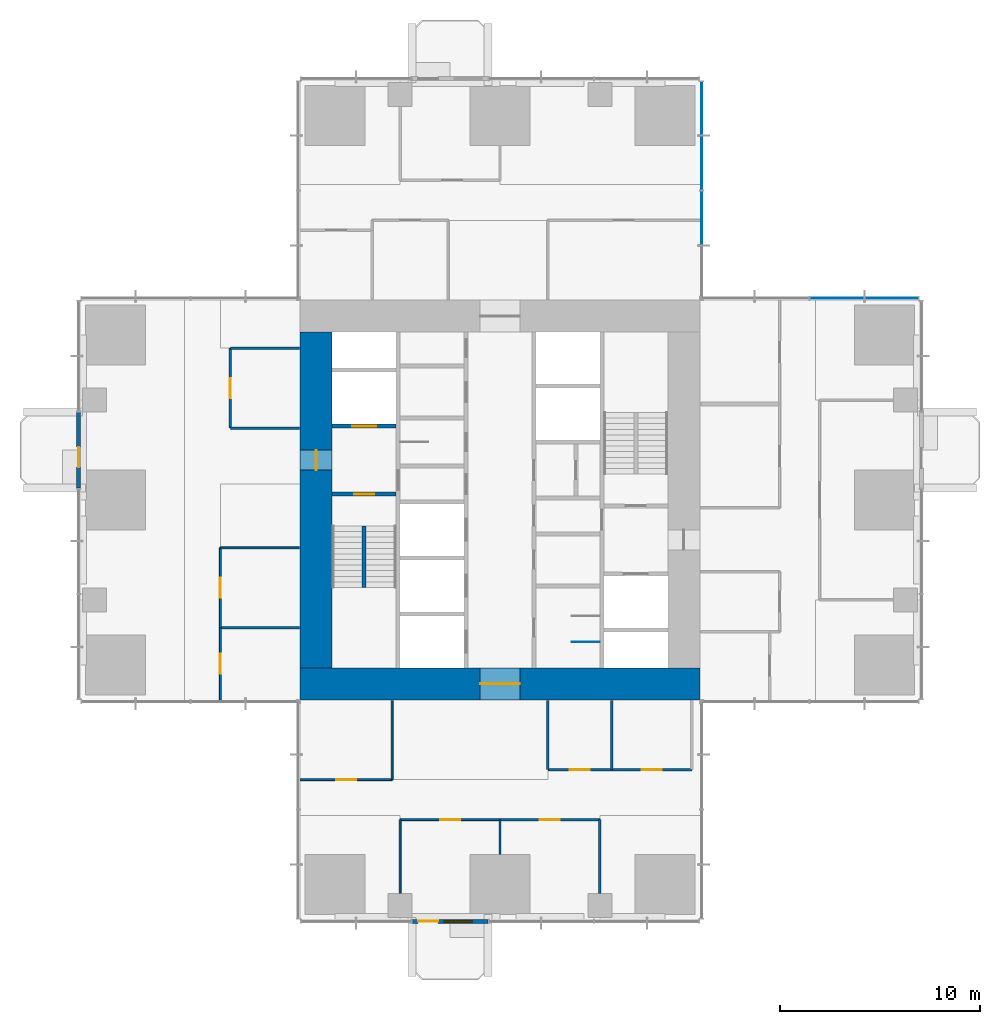
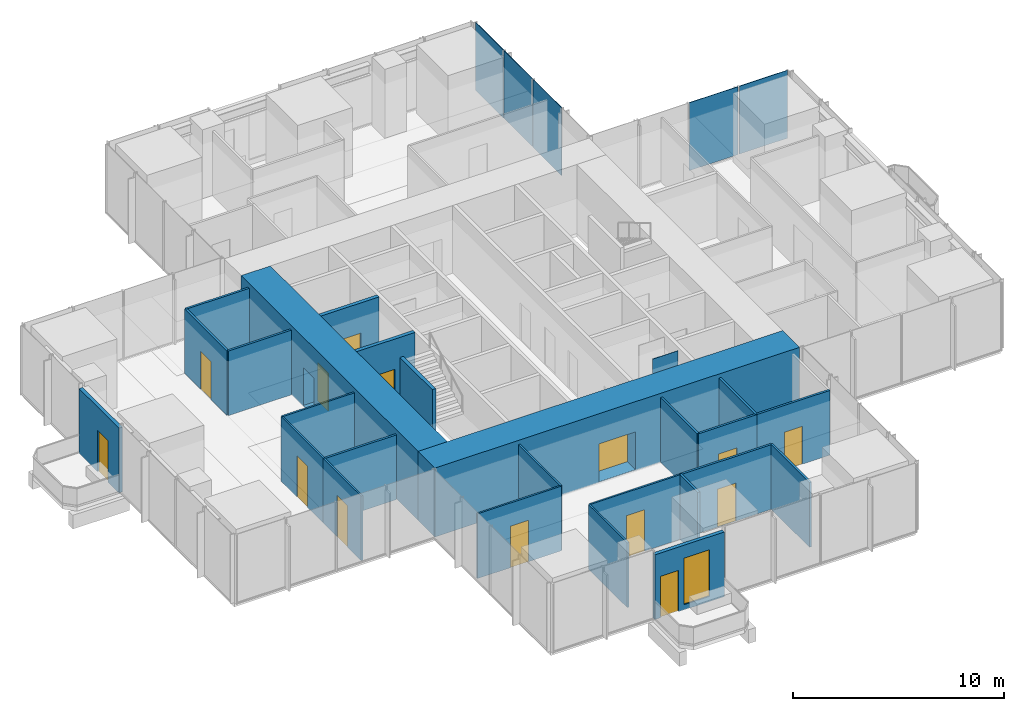
# One storey, part 8 of 13: 26 walls, 14 doors, 5 plates, 1 window, 15 openings, 2 elements without a shape of their own.
"""IFC4 building model written with IfcOpenShell, lengths in metres."""

import ifcopenshell
import ifcopenshell.guid

model = None  # the IFC model being written
_history = None  # IfcOwnerHistory: only IFC2X3 demands one
_inside = {}  # id of a spatial element -> (the spatial element, [elements in it])
_under = {}  # id of a project, library or spatial element -> (it, [spatial elements below it])
_declared = {}  # id of a project -> (the project, [libraries it declares])
_typed = {}  # id of a type object -> (the type object, [elements of that type])
_made_of = {}  # id of a material, layer set ... -> (it, [elements and type objects made of it])


def new_model(schema):
    """Start an empty IFC model of exactly this schema.

    Asked for "IFC4X3", IfcOpenShell would pick the latest addendum, in which some entities
    have other attributes; the version numbers below select the first issue.
    IFC2X3 requires an IfcOwnerHistory on every rooted entity: one is made here for all.
    """
    global model, _history
    if schema == "IFC4X3":
        model = ifcopenshell.file(schema_version=(4, 3, 0, 0))
    else:
        model = ifcopenshell.file(schema=schema)
    _inside.clear()
    _under.clear()
    _declared.clear()
    _typed.clear()
    _made_of.clear()
    _history = None
    if model.schema == "IFC2X3":
        org = make("IfcOrganization", Name="unknown")
        user = make(
            "IfcPersonAndOrganization",
            ThePerson=make("IfcPerson", FamilyName="unknown"),
            TheOrganization=org,
        )
        app = make(
            "IfcApplication",
            ApplicationDeveloper=org,
            Version="unknown",
            ApplicationFullName="unknown",
            ApplicationIdentifier="unknown",
        )
        _history = make(
            "IfcOwnerHistory",
            OwningUser=user,
            OwningApplication=app,
            ChangeAction="ADDED",
            CreationDate=0,
        )
    return model


def make(cls, **values):
    """One entity of the class cls with the attributes given. An attribute that is None is left unset."""
    return model.create_entity(
        cls, **{name: value for name, value in values.items() if value is not None}
    )


def rooted(cls, **values):
    """An entity with a GlobalId (a new one), such as an element, a storey or a relation."""
    return make(cls, GlobalId=ifcopenshell.guid.new(), OwnerHistory=_history, **values)


def si_unit(unit_type, name, prefix=None):
    """IfcSIUnit, for example si_unit("LENGTHUNIT", "METRE", prefix="MILLI")."""
    return make("IfcSIUnit", UnitType=unit_type, Prefix=prefix, Name=name)


def assignment(units):
    """IfcUnitAssignment: the units of a project."""
    return None if units is None else make("IfcUnitAssignment", Units=units)


def point(xyz):
    """IfcCartesianPoint."""
    return None if xyz is None else make("IfcCartesianPoint", Coordinates=xyz)


def direction(xyz):
    """IfcDirection."""
    return None if xyz is None else make("IfcDirection", DirectionRatios=xyz)


def frame(location, z_axis=None, x_axis=None):
    """IfcAxis2Placement3D, a coordinate frame: its origin and axes. An axis left out is left unset."""
    return make(
        "IfcAxis2Placement3D",
        Location=point(location),
        Axis=direction(z_axis),
        RefDirection=direction(x_axis),
    )


def frame_2d(location, x_axis=None):
    """IfcAxis2Placement2D, a coordinate frame in the plane: its origin and x axis."""
    return make(
        "IfcAxis2Placement2D", Location=point(location), RefDirection=direction(x_axis)
    )


def origin():
    """The frame at (0, 0, 0) with its axes left unset."""
    return frame((0.0, 0.0, 0.0))


def origin_2d():
    """The frame at (0, 0) in the plane with its x axis left unset."""
    return frame_2d((0.0, 0.0))


def place(relative_to, where):
    """IfcLocalPlacement: puts the frame where relative to a parent placement (None: the world)."""
    return make(
        "IfcLocalPlacement", PlacementRelTo=relative_to, RelativePlacement=where
    )


def context(
    kind, dimensions, precision=None, world=None, true_north=None, identifier=None
):
    """IfcGeometricRepresentationContext, for example the 3D "Model" context."""
    return make(
        "IfcGeometricRepresentationContext",
        ContextIdentifier=identifier,
        ContextType=kind,
        CoordinateSpaceDimension=dimensions,
        Precision=precision,
        WorldCoordinateSystem=world,
        TrueNorth=true_north,
    )


def subcontext(parent, identifier, kind, view, scale=None):
    """IfcGeometricRepresentationSubContext, for example "Body" below "Model"."""
    return make(
        "IfcGeometricRepresentationSubContext",
        ContextIdentifier=identifier,
        ContextType=kind,
        ParentContext=parent,
        TargetScale=scale,
        TargetView=view,
    )


def project(units=None, contexts=None):
    """IfcProject with its units and contexts."""
    return rooted(
        "IfcProject",
        Name="project",
        RepresentationContexts=contexts,
        UnitsInContext=assignment(units),
    )


def spatial(cls, under=None, at=None, **own):
    """A site, building, storey or space (cls), placed at a placement, below another one or the project."""
    s = rooted(cls, ObjectPlacement=at, **own)
    if under is not None:
        _under.setdefault(under.id(), (under, []))[1].append(s)
    return s


def profile(cls, at=None, kind="AREA", **sizes):
    """A parametric profile (cls). Its sizes go by their IFC names, for example OverallWidth=200.0."""
    return make(cls, ProfileType=kind, Position=at, **sizes)


def rectangle(**sizes):
    """IfcRectangleProfileDef."""
    return profile("IfcRectangleProfileDef", **sizes)


def extrude(swept, where, along, depth):
    """IfcExtrudedAreaSolid: the profile swept, set in the frame where, extruded along a direction by depth."""
    return make(
        "IfcExtrudedAreaSolid",
        SweptArea=swept,
        Position=where,
        ExtrudedDirection=direction(along),
        Depth=depth,
    )


def shape(context_of_items, identifier, shape_type, items):
    """IfcShapeRepresentation: the items that make up one representation, for example the "Body"."""
    return make(
        "IfcShapeRepresentation",
        ContextOfItems=context_of_items,
        RepresentationIdentifier=identifier,
        RepresentationType=shape_type,
        Items=items,
    )


def material(Name=None, Category=None):
    """IfcMaterial."""
    return make("IfcMaterial", Name=Name, Category=Category)


def layer(
    of_material, thickness, ventilated=None, Name=None, Category=None, Priority=None
):
    """IfcMaterialLayer: one layer of a wall or slab, of a material (None: an air gap)."""
    return make(
        "IfcMaterialLayer",
        Material=of_material,
        LayerThickness=thickness,
        IsVentilated=ventilated,
        Name=Name,
        Category=Category,
        Priority=Priority,
    )


def layer_set(layers, Name=None):
    """IfcMaterialLayerSet."""
    return make("IfcMaterialLayerSet", MaterialLayers=layers, LayerSetName=Name)


def made_of(thing, what):
    """Note that an element or type object is made of a material, layer set ...; save() writes the relation."""
    if what is not None:
        _made_of.setdefault(what.id(), (what, []))[1].append(thing)
    return thing


def type_object(cls, material=None, **own):
    """A type object (cls), such as IfcWallType, which elements share."""
    return made_of(rooted(cls, **own), material)


def element(
    cls,
    number,
    at=None,
    inside=None,
    cuts=None,
    type_object=None,
    material=None,
    context=None,
    identifier="Body",
    shape_type=None,
    held_by="IfcProductDefinitionShape",
    body=None,
    shapes=None,
    **own,
):
    """One element of the class cls, such as IfcWall. Its Tag is "e" and its number.

    at: its placement. inside: the storey or other place that contains it. cuts: it is an
    opening in that element (IfcRelVoidsElement). A single representation is given by context,
    identifier, shape_type and body (its items); several are given by shapes. held_by: the class
    of the entity that holds the representations. save() writes the other relations.
    """
    e = rooted(cls, Tag="e%d" % number, ObjectPlacement=at, **own)
    if body is not None:
        shapes = [shape(context, identifier, shape_type, body)]
    if shapes is not None:
        e.Representation = make(held_by, Representations=shapes)
    if inside is not None:
        _inside.setdefault(inside.id(), (inside, []))[1].append(e)
    if cuts is not None:
        rooted(
            "IfcRelVoidsElement", RelatingBuildingElement=cuts, RelatedOpeningElement=e
        )
    if type_object is not None:
        _typed.setdefault(type_object.id(), (type_object, []))[1].append(e)
    return made_of(e, material)


def fill(opening, filler):
    """IfcRelFillsElement: the door or window that sits in an opening."""
    return rooted(
        "IfcRelFillsElement",
        RelatingOpeningElement=opening,
        RelatedBuildingElement=filler,
    )


def aggregate(whole, parts):
    """IfcRelAggregates: a whole, such as a stair, and the parts it consists of."""
    return rooted("IfcRelAggregates", RelatingObject=whole, RelatedObjects=parts)


def save(model, path):
    """Write the relations noted so far, then the file.

    IfcRelAggregates (storeys below a building ...), IfcRelContainedInSpatialStructure (elements
    in a storey), IfcRelDefinesByType, IfcRelAssociatesMaterial and IfcRelDeclares: one each for
    every whole, place, type object, material and project.
    """
    for whole, parts in _under.values():
        aggregate(whole, parts)
    for where, things in _inside.values():
        rooted(
            "IfcRelContainedInSpatialStructure",
            RelatedElements=things,
            RelatingStructure=where,
        )
    for kind, things in _typed.values():
        rooted("IfcRelDefinesByType", RelatedObjects=things, RelatingType=kind)
    for what, things in _made_of.values():
        rooted("IfcRelAssociatesMaterial", RelatedObjects=things, RelatingMaterial=what)
    for by, libraries in _declared.values():
        rooted("IfcRelDeclares", RelatingContext=by, RelatedDefinitions=libraries)
    model.write(path)


model = new_model("IFC4")

# Units and contexts
model_context = context("Model", 3, precision=1e-05, world=origin(), true_north=direction((0.0, 1.0)))
body_context = subcontext(model_context, "Body", "Model", "MODEL_VIEW")
ifc_project = project(units=[si_unit("LENGTHUNIT", "METRE"), si_unit("AREAUNIT", "SQUARE_METRE"), si_unit("VOLUMEUNIT", "CUBIC_METRE"), si_unit("PLANEANGLEUNIT", "RADIAN"), si_unit("MASSUNIT", "GRAM", prefix="KILO")], contexts=[model_context])

# Site, building, storey
site_placement = place(None, origin())
site = spatial("IfcSite", under=ifc_project, at=site_placement, CompositionType="ELEMENT")
building_placement = place(site_placement, origin())
building = spatial("IfcBuilding", under=site, at=building_placement, Name="Svetlomir Tower", CompositionType="ELEMENT")
storey_placement = place(building_placement, frame((0.0, 0.0, 116.5)))
storey = spatial("IfcBuildingStorey", under=building, at=storey_placement, Name="L27", CompositionType="ELEMENT", Elevation=116.5)

# Curtain wall, plates
ifc_material_1 = material(Name="Bronze anodised aluminium curtain wall", Category="aluminium")
curtain_wall_type = type_object("IfcCurtainWallType", Name="CURTAIN WALL CW1 TOWER OFFICE", PredefinedType="NOTDEFINED", material=ifc_material_1)
curtain_wall_1_placement = place(storey_placement, origin())
curtain_wall_1 = element("IfcCurtainWall", 1, at=curtain_wall_1_placement, inside=storey, type_object=curtain_wall_type, Name="Curtain wall CW1 L27", PredefinedType="NOTDEFINED")
ifc_material_2 = material(Name="Tinted double glazed unit", Category="glass")
ifc_layer_1 = layer(ifc_material_2, 0.031982421875)
ifc_layer_set_1 = layer_set([ifc_layer_1], Name="Tinted double glazed unit")
plate_type = type_object("IfcPlateType", Name="CW1 GLAZED PANEL 32", PredefinedType="CURTAIN_PANEL", material=ifc_layer_set_1)
plate_1_placement = place(storey_placement, frame((40.608642578125, 31.10009765625, 0.06494140625), z_axis=(0.0, 0.0, 1.0), x_axis=(-1.0, 0.0, 0.0)))
plate_1 = element("IfcPlate", 2, at=plate_1_placement, type_object=plate_type, Name="CW1 panel 1.1", PredefinedType="CURTAIN_PANEL", context=body_context, shape_type="SweptSolid", body=[
    extrude(rectangle(XDim=2.652587890625, YDim=0.031982421875, at=origin_2d()), origin(), (0.0, 0.0, 1.0), 3.93505859375),
])
plate_2_placement = place(storey_placement, frame((37.875, 31.10009765625, 0.06494140625), z_axis=(0.0, 0.0, 1.0), x_axis=(-1.0, 0.0, 0.0)))
plate_2 = element("IfcPlate", 3, at=plate_2_placement, type_object=plate_type, Name="CW1 panel 2.1", PredefinedType="CURTAIN_PANEL", context=body_context, shape_type="SweptSolid", body=[
    extrude(rectangle(XDim=2.68505859375, YDim=0.031982421875, at=origin_2d()), origin(), (0.0, 0.0, 1.0), 3.93505859375),
])
aggregate(curtain_wall_1, [plate_1, plate_2])

curtain_wall_2_placement = place(storey_placement, origin())
curtain_wall_2 = element("IfcCurtainWall", 4, at=curtain_wall_2_placement, inside=storey, type_object=curtain_wall_type, Name="Curtain wall CW1 L27", PredefinedType="NOTDEFINED")
plate_3_placement = place(storey_placement, frame((31.10009765625, 35.125, 0.06494140625), z_axis=(0.0, 0.0, 1.0), x_axis=(0.0, 1.0, 0.0)))
plate_3 = element("IfcPlate", 5, at=plate_3_placement, type_object=plate_type, Name="CW1 panel 2.1", PredefinedType="CURTAIN_PANEL", context=body_context, shape_type="SweptSolid", body=[
    extrude(rectangle(XDim=2.68505859375, YDim=0.031982421875, at=origin_2d()), origin(), (0.0, 0.0, 1.0), 3.93505859375),
])
plate_4_placement = place(storey_placement, frame((31.10009765625, 37.875, 0.06494140625), z_axis=(0.0, 0.0, 1.0), x_axis=(0.0, 1.0, 0.0)))
plate_4 = element("IfcPlate", 6, at=plate_4_placement, type_object=plate_type, Name="CW1 panel 3.1", PredefinedType="CURTAIN_PANEL", context=body_context, shape_type="SweptSolid", body=[
    extrude(rectangle(XDim=2.68505859375, YDim=0.031982421875, at=origin_2d()), origin(), (0.0, 0.0, 1.0), 3.93505859375),
])
plate_5_placement = place(storey_placement, frame((31.10009765625, 40.608642578125, 0.06494140625), z_axis=(0.0, 0.0, 1.0), x_axis=(0.0, 1.0, 0.0)))
plate_5 = element("IfcPlate", 7, at=plate_5_placement, type_object=plate_type, Name="CW1 panel 4.1", PredefinedType="CURTAIN_PANEL", context=body_context, shape_type="SweptSolid", body=[
    extrude(rectangle(XDim=2.652587890625, YDim=0.031982421875, at=origin_2d()), origin(), (0.0, 0.0, 1.0), 3.93505859375),
])
aggregate(curtain_wall_2, [plate_3, plate_4, plate_5])

# Wall, openings, door, window
ifc_material_3 = material(Name="Bronze anodised aluminium glazed screen", Category="aluminium")
ifc_layer_2 = layer(ifc_material_3, 0.199951171875)
ifc_layer_set_2 = layer_set([ifc_layer_2], Name="Bronze anodised aluminium glazed screen")
wall_type_1 = type_object("IfcWallType", Name="BALCONY SCREEN WALL 200", PredefinedType="USERDEFINED", material=ifc_layer_set_2)
wall_1_placement = place(storey_placement, frame((16.60009765625, -0.10009765625, 0.0), z_axis=(0.0, 0.0, 1.0), x_axis=(1.0, 0.0, 0.0)))
wall_1 = element("IfcWall", 8, at=wall_1_placement, inside=storey, type_object=wall_type_1, Name="Balcony screen S", ObjectType="GLAZED SCREEN", PredefinedType="USERDEFINED", context=body_context, shape_type="SweptSolid", body=[
    extrude(rectangle(XDim=3.7998046875, YDim=0.199951171875, at=frame_2d((1.89990234375, 0.0))), origin(), (0.0, 0.0, 1.0), 3.75),
])
opening_1_placement = place(wall_1_placement, frame((0.300048828125, 0.0, 0.0)))
opening_1 = element("IfcOpeningElement", 9, at=opening_1_placement, cuts=wall_1, Name="Opening BD", PredefinedType="OPENING", context=body_context, shape_type="SweptSolid", body=[
    extrude(rectangle(XDim=1.0, YDim=2.39990234375, at=frame_2d((0.5, 1.199951171875))), frame((0.0, 0.10986328125, 0.0), z_axis=(0.0, -1.0, 0.0), x_axis=(1.0, 0.0, 0.0)), (0.0, 0.0, 1.0), 0.219970703125),
])
opening_2_placement = place(wall_1_placement, frame((1.60009765625, 0.0, 0.300048828125)))
opening_2 = element("IfcOpeningElement", 10, at=opening_2_placement, cuts=wall_1, Name="Opening WS2", PredefinedType="OPENING", context=body_context, shape_type="SweptSolid", body=[
    extrude(rectangle(XDim=1.39990234375, YDim=2.699951171875, at=frame_2d((0.699951171875, 1.35009765625))), frame((0.0, 0.10986328125, 0.0), z_axis=(0.0, -1.0, 0.0), x_axis=(1.0, 0.0, 0.0)), (0.0, 0.0, 1.0), 0.219970703125),
])
ifc_material_4 = material(Name="Bronze anodised aluminium glazed door", Category="aluminium")
door_type_1 = type_object("IfcDoorType", Name="BALCONY DOOR BD 1000x2400", OperationType="SINGLE_SWING_LEFT", PredefinedType="DOOR", material=ifc_material_4)
door_1_placement = place(opening_1_placement, origin())
door_1 = element("IfcDoor", 11, at=door_1_placement, inside=storey, type_object=door_type_1, Name="Balcony screen S door", OperationType="SINGLE_SWING_LEFT", OverallHeight=2.39990234375, OverallWidth=1.0, PredefinedType="DOOR", context=body_context, shape_type="SweptSolid", body=[
    extrude(rectangle(XDim=1.0, YDim=2.39990234375, at=frame_2d((0.5, 1.199951171875))), frame((0.0, 0.02490234375, 0.0), z_axis=(0.0, -1.0, 0.0), x_axis=(1.0, 0.0, 0.0)), (0.0, 0.0, 1.0), 0.050048828125),
])
fill(opening_1, door_1)
ifc_material_5 = material(Name="Bronze anodised aluminium window", Category="aluminium")
window_type = type_object("IfcWindowType", Name="SCREEN WINDOW WS2 1400x2700", PartitioningType="SINGLE_PANEL", PredefinedType="WINDOW", material=ifc_material_5)
window_placement = place(opening_2_placement, origin())
window = element("IfcWindow", 12, at=window_placement, inside=storey, type_object=window_type, Name="Balcony screen S window 1", OverallHeight=2.699951171875, OverallWidth=1.39990234375, PartitioningType="SINGLE_PANEL", PredefinedType="WINDOW", context=body_context, shape_type="SweptSolid", body=[
    extrude(rectangle(XDim=1.39990234375, YDim=2.699951171875, at=frame_2d((0.699951171875, 1.35009765625))), frame((0.0, 0.030029296875, 0.0), z_axis=(0.0, -1.0, 0.0), x_axis=(1.0, 0.0, 0.0)), (0.0, 0.0, 1.0), 0.06005859375),
])
fill(opening_2, window)

# Wall, opening, door
wall_2_placement = place(storey_placement, frame((-0.10009765625, 25.39990234375, 0.0), z_axis=(0.0, 0.0, 1.0), x_axis=(0.0, -1.0, 0.0)))
wall_2 = element("IfcWall", 13, at=wall_2_placement, inside=storey, type_object=wall_type_1, Name="Balcony screen W", ObjectType="GLAZED SCREEN", PredefinedType="USERDEFINED", context=body_context, shape_type="SweptSolid", body=[
    extrude(rectangle(XDim=3.7998046875, YDim=0.199951171875, at=frame_2d((1.89990234375, 0.0))), origin(), (0.0, 0.0, 1.0), 3.75),
])
opening_3_placement = place(wall_2_placement, frame((1.75, 0.0, 0.0)))
opening_3 = element("IfcOpeningElement", 14, at=opening_3_placement, cuts=wall_2, Name="Opening BD", PredefinedType="OPENING", context=body_context, shape_type="SweptSolid", body=[
    extrude(rectangle(XDim=1.0, YDim=2.39990234375, at=frame_2d((0.5, 1.199951171875))), frame((0.0, 0.10986328125, 0.0), z_axis=(0.0, -1.0, 0.0), x_axis=(1.0, 0.0, 0.0)), (0.0, 0.0, 1.0), 0.219970703125),
])
door_2_placement = place(opening_3_placement, origin())
door_2 = element("IfcDoor", 15, at=door_2_placement, inside=storey, type_object=door_type_1, Name="Balcony screen W door", OperationType="SINGLE_SWING_LEFT", OverallHeight=2.39990234375, OverallWidth=1.0, PredefinedType="DOOR", context=body_context, shape_type="SweptSolid", body=[
    extrude(rectangle(XDim=1.0, YDim=2.39990234375, at=frame_2d((0.5, 1.199951171875))), frame((0.0, 0.02490234375, 0.0), z_axis=(0.0, -1.0, 0.0), x_axis=(1.0, 0.0, 0.0)), (0.0, 0.0, 1.0), 0.050048828125),
])
fill(opening_3, door_2)

ifc_material_6 = material(Name="Concrete C60/75", Category="concrete")
ifc_layer_3 = layer(ifc_material_6, 0.199951171875)
ifc_layer_set_3 = layer_set([ifc_layer_3], Name="Concrete C60/75")
wall_type_2 = type_object("IfcWallType", Name="CORE INNER WALL 200", PredefinedType="SHEAR", material=ifc_layer_set_3)
wall_3_placement = place(storey_placement, frame((12.60009765625, 21.300048828125, -0.050048828125), z_axis=(0.0, 0.0, 1.0), x_axis=(1.0, 0.0, 0.0)))
wall_3 = element("IfcWall", 16, at=wall_3_placement, inside=storey, type_object=wall_type_2, Name="Core inner wall 12.6-15.8/21.3 L27", PredefinedType="SHEAR", context=body_context, shape_type="SweptSolid", body=[
    extrude(rectangle(XDim=3.199951171875, YDim=0.199951171875, at=frame_2d((1.60009765625, 0.0))), origin(), (0.0, 0.0, 1.0), 4.0),
])
opening_4_placement = place(wall_3_placement, frame((1.10009765625, 0.0, 0.050048828125)))
opening_4 = element("IfcOpeningElement", 17, at=opening_4_placement, cuts=wall_3, Name="Opening DF", PredefinedType="OPENING", context=body_context, shape_type="SweptSolid", body=[
    extrude(rectangle(XDim=1.0, YDim=2.199951171875, at=frame_2d((0.5, 1.10009765625))), frame((0.0, 0.10986328125, 0.0), z_axis=(0.0, -1.0, 0.0), x_axis=(1.0, 0.0, 0.0)), (0.0, 0.0, 1.0), 0.219970703125),
])
ifc_material_7 = material(Name="Steel fire door", Category="steel")
door_type_2 = type_object("IfcDoorType", Name="DOOR DF 1000x2200", OperationType="SINGLE_SWING_LEFT", PredefinedType="DOOR", material=ifc_material_7)
door_3_placement = place(opening_4_placement, origin())
door_3 = element("IfcDoor", 18, at=door_3_placement, inside=storey, type_object=door_type_2, Name="Stair S1 door L27", OperationType="SINGLE_SWING_LEFT", OverallHeight=2.199951171875, OverallWidth=1.0, PredefinedType="DOOR", context=body_context, shape_type="SweptSolid", body=[
    extrude(rectangle(XDim=1.0, YDim=2.199951171875, at=frame_2d((0.5, 1.10009765625))), frame((0.0, 0.02490234375, 0.0), z_axis=(0.0, -1.0, 0.0), x_axis=(1.0, 0.0, 0.0)), (0.0, 0.0, 1.0), 0.050048828125),
])
fill(opening_4, door_3)

wall_4_placement = place(storey_placement, frame((12.60009765625, 24.699951171875, -0.050048828125), z_axis=(0.0, 0.0, 1.0), x_axis=(1.0, 0.0, 0.0)))
wall_4 = element("IfcWall", 19, at=wall_4_placement, inside=storey, type_object=wall_type_2, Name="Core inner wall 12.6-15.8/24.7 L27", PredefinedType="SHEAR", context=body_context, shape_type="SweptSolid", body=[
    extrude(rectangle(XDim=3.199951171875, YDim=0.199951171875, at=frame_2d((1.60009765625, 0.0))), origin(), (0.0, 0.0, 1.0), 4.0),
])
opening_5_placement = place(wall_4_placement, frame((1.0, 0.0, 0.050048828125)))
opening_5 = element("IfcOpeningElement", 20, at=opening_5_placement, cuts=wall_4, Name="Opening LD3", PredefinedType="OPENING", context=body_context, shape_type="SweptSolid", body=[
    extrude(rectangle(XDim=1.199951171875, YDim=2.199951171875, at=frame_2d((0.60009765625, 1.10009765625))), frame((0.0, 0.10986328125, 0.0), z_axis=(0.0, -1.0, 0.0), x_axis=(1.0, 0.0, 0.0)), (0.0, 0.0, 1.0), 0.219970703125),
])
ifc_material_8 = material(Name="Stainless steel fire-rated landing door", Category="steel")
door_type_3 = type_object("IfcDoorType", Name="FIREFIGHTING LIFT LANDING DOOR LD3 1200x2200", OperationType="DOUBLE_DOOR_SLIDING", PredefinedType="DOOR", material=ifc_material_8)
door_4_placement = place(opening_5_placement, origin())
door_4 = element("IfcDoor", 21, at=door_4_placement, inside=storey, type_object=door_type_3, Name="Landing door lift FL1 L27", OperationType="DOUBLE_DOOR_SLIDING", OverallHeight=2.199951171875, OverallWidth=1.199951171875, PredefinedType="DOOR", context=body_context, shape_type="SweptSolid", body=[
    extrude(rectangle(XDim=1.199951171875, YDim=2.199951171875, at=frame_2d((0.60009765625, 1.10009765625))), frame((0.0, 0.02490234375, 0.0), z_axis=(0.0, -1.0, 0.0), x_axis=(1.0, 0.0, 0.0)), (0.0, 0.0, 1.0), 0.050048828125),
])
fill(opening_5, door_4)

ifc_material_9 = material(Name="Concrete C60/75", Category="concrete")
ifc_layer_4 = layer(ifc_material_9, 1.60009765625)
ifc_layer_set_4 = layer_set([ifc_layer_4], Name="Concrete C60/75")
wall_type_3 = type_object("IfcWallType", Name="CORE WALL 1600", PredefinedType="SHEAR", material=ifc_layer_set_4)
wall_5_placement = place(storey_placement, frame((11.0, 11.800048828125, -0.050048828125), z_axis=(0.0, 0.0, 1.0), x_axis=(1.0, 0.0, 0.0)))
wall_5 = element("IfcWall", 22, at=wall_5_placement, inside=storey, type_object=wall_type_3, Name="Core wall south L27", PredefinedType="SHEAR", context=body_context, shape_type="SweptSolid", body=[
    extrude(rectangle(XDim=20.0, YDim=1.60009765625, at=frame_2d((10.0, 0.0))), origin(), (0.0, 0.0, 1.0), 4.0),
])
opening_6_placement = place(wall_5_placement, frame((9.0, 0.0, 0.050048828125)))
opening_6 = element("IfcOpeningElement", 23, at=opening_6_placement, cuts=wall_5, Name="Opening DL", PredefinedType="OPENING", context=body_context, shape_type="SweptSolid", body=[
    extrude(rectangle(XDim=2.0, YDim=2.199951171875, at=frame_2d((1.0, 1.10009765625))), frame((0.0, 0.81005859375, 0.0), z_axis=(0.0, -1.0, 0.0), x_axis=(1.0, 0.0, 0.0)), (0.0, 0.0, 1.0), 1.6201171875),
])
ifc_material_10 = material(Name="Steel fire door", Category="steel")
door_type_4 = type_object("IfcDoorType", Name="DOOR DL 2000x2200", OperationType="DOUBLE_DOOR_SINGLE_SWING", PredefinedType="DOOR", material=ifc_material_10)
door_5_placement = place(opening_6_placement, origin())
door_5 = element("IfcDoor", 24, at=door_5_placement, inside=storey, type_object=door_type_4, Name="Lift lobby south door L27", OperationType="DOUBLE_DOOR_SINGLE_SWING", OverallHeight=2.199951171875, OverallWidth=2.0, PredefinedType="DOOR", context=body_context, shape_type="SweptSolid", body=[
    extrude(rectangle(XDim=2.0, YDim=2.199951171875, at=frame_2d((1.0, 1.10009765625))), frame((0.0, 0.02490234375, 0.0), z_axis=(0.0, -1.0, 0.0), x_axis=(1.0, 0.0, 0.0)), (0.0, 0.0, 1.0), 0.050048828125),
])
fill(opening_6, door_5)

wall_6_placement = place(storey_placement, frame((11.800048828125, 12.60009765625, -0.050048828125), z_axis=(0.0, 0.0, 1.0), x_axis=(0.0, 1.0, 0.0)))
wall_6 = element("IfcWall", 25, at=wall_6_placement, inside=storey, type_object=wall_type_3, Name="Core wall west L27", PredefinedType="SHEAR", context=body_context, shape_type="SweptSolid", body=[
    extrude(rectangle(XDim=16.7998046875, YDim=1.60009765625, at=frame_2d((8.39990234375, 0.0))), origin(), (0.0, 0.0, 1.0), 4.0),
])
opening_7_placement = place(wall_6_placement, frame((9.89990234375, 0.0, 0.050048828125)))
opening_7 = element("IfcOpeningElement", 26, at=opening_7_placement, cuts=wall_6, Name="Opening DF", PredefinedType="OPENING", context=body_context, shape_type="SweptSolid", body=[
    extrude(rectangle(XDim=1.0, YDim=2.199951171875, at=frame_2d((0.5, 1.10009765625))), frame((0.0, 0.81005859375, 0.0), z_axis=(0.0, -1.0, 0.0), x_axis=(1.0, 0.0, 0.0)), (0.0, 0.0, 1.0), 1.6201171875),
])
door_6_placement = place(opening_7_placement, origin())
door_6 = element("IfcDoor", 27, at=door_6_placement, inside=storey, type_object=door_type_2, Name="Firefighting lobby west door L27", OperationType="SINGLE_SWING_LEFT", OverallHeight=2.199951171875, OverallWidth=1.0, PredefinedType="DOOR", context=body_context, shape_type="SweptSolid", body=[
    extrude(rectangle(XDim=1.0, YDim=2.199951171875, at=frame_2d((0.5, 1.10009765625))), frame((0.0, 0.02490234375, 0.0), z_axis=(0.0, -1.0, 0.0), x_axis=(1.0, 0.0, 0.0)), (0.0, 0.0, 1.0), 0.050048828125),
])
fill(opening_7, door_6)

ifc_material_11 = material(Name="Framed laminated glass partition", Category="glass")
ifc_layer_5 = layer(ifc_material_11, 0.10009765625)
ifc_layer_set_5 = layer_set([ifc_layer_5], Name="Framed laminated glass partition")
wall_type_4 = type_object("IfcWallType", Name="GLAZED PARTITION 100", PredefinedType="PARTITIONING", material=ifc_layer_set_5)
wall_7_placement = place(storey_placement, frame((7.0, 11.0, 0.0), z_axis=(0.0, 0.0, 1.0), x_axis=(0.0, 1.0, 0.0)))
wall_7 = element("IfcWall", 28, at=wall_7_placement, inside=storey, type_object=wall_type_4, Name="Glazed partition L27", PredefinedType="PARTITIONING", context=body_context, shape_type="SweptSolid", body=[
    extrude(rectangle(XDim=3.60009765625, YDim=0.10009765625, at=frame_2d((1.800048828125, 0.0))), origin(), (0.0, 0.0, 1.0), 3.75),
])
opening_8_placement = place(wall_7_placement, frame((1.300048828125, 0.0, 0.0)))
opening_8 = element("IfcOpeningElement", 29, at=opening_8_placement, cuts=wall_7, Name="Opening DG", PredefinedType="OPENING", context=body_context, shape_type="SweptSolid", body=[
    extrude(rectangle(XDim=1.0, YDim=2.39990234375, at=frame_2d((0.5, 1.199951171875))), frame((0.0, 0.06005859375, 0.0), z_axis=(0.0, -1.0, 0.0), x_axis=(1.0, 0.0, 0.0)), (0.0, 0.0, 1.0), 0.1201171875),
])
ifc_material_12 = material(Name="Framed laminated glass door", Category="glass")
door_type_5 = type_object("IfcDoorType", Name="GLAZED DOOR DG 1000x2400", OperationType="SINGLE_SWING_LEFT", PredefinedType="DOOR", material=ifc_material_12)
door_7_placement = place(opening_8_placement, origin())
door_7 = element("IfcDoor", 30, at=door_7_placement, inside=storey, type_object=door_type_5, Name="Deal room, 4 seats door L27", OperationType="SINGLE_SWING_RIGHT", OverallHeight=2.39990234375, OverallWidth=1.0, PredefinedType="DOOR", context=body_context, shape_type="SweptSolid", body=[
    extrude(rectangle(XDim=1.0, YDim=2.39990234375, at=frame_2d((0.5, 1.199951171875))), frame((0.0, 0.02490234375, 0.0), z_axis=(0.0, -1.0, 0.0), x_axis=(1.0, 0.0, 0.0)), (0.0, 0.0, 1.0), 0.050048828125),
])
fill(opening_8, door_7)

wall_8_placement = place(storey_placement, frame((7.0, 14.60009765625, 0.0), z_axis=(0.0, 0.0, 1.0), x_axis=(0.0, 1.0, 0.0)))
wall_8 = element("IfcWall", 31, at=wall_8_placement, inside=storey, type_object=wall_type_4, Name="Glazed partition L27", PredefinedType="PARTITIONING", context=body_context, shape_type="SweptSolid", body=[
    extrude(rectangle(XDim=4.0, YDim=0.10009765625, at=frame_2d((2.0, 0.0))), origin(), (0.0, 0.0, 1.0), 3.75),
])
opening_9_placement = place(wall_8_placement, frame((1.5, 0.0, 0.0)))
opening_9 = element("IfcOpeningElement", 32, at=opening_9_placement, cuts=wall_8, Name="Opening DG", PredefinedType="OPENING", context=body_context, shape_type="SweptSolid", body=[
    extrude(rectangle(XDim=1.0, YDim=2.39990234375, at=frame_2d((0.5, 1.199951171875))), frame((0.0, 0.06005859375, 0.0), z_axis=(0.0, -1.0, 0.0), x_axis=(1.0, 0.0, 0.0)), (0.0, 0.0, 1.0), 0.1201171875),
])
door_8_placement = place(opening_9_placement, origin())
door_8 = element("IfcDoor", 33, at=door_8_placement, inside=storey, type_object=door_type_5, Name="Phone rooms door L27", OperationType="SINGLE_SWING_LEFT", OverallHeight=2.39990234375, OverallWidth=1.0, PredefinedType="DOOR", context=body_context, shape_type="SweptSolid", body=[
    extrude(rectangle(XDim=1.0, YDim=2.39990234375, at=frame_2d((0.5, 1.199951171875))), frame((0.0, 0.02490234375, 0.0), z_axis=(0.0, -1.0, 0.0), x_axis=(1.0, 0.0, 0.0)), (0.0, 0.0, 1.0), 0.050048828125),
])
fill(opening_9, door_8)

# Wall
wall_9_placement = place(storey_placement, frame((7.0, 18.60009765625, 0.0), z_axis=(0.0, 0.0, 1.0), x_axis=(1.0, 0.0, 0.0)))
element("IfcWall", 34, at=wall_9_placement, inside=storey, type_object=wall_type_4, Name="Glazed partition L27", PredefinedType="PARTITIONING", context=body_context, shape_type="SweptSolid", body=[
    extrude(rectangle(XDim=3.949951171875, YDim=0.10009765625, at=frame_2d((1.97509765625, 0.0))), origin(), (0.0, 0.0, 1.0), 3.75),
])

# Wall, opening, door
wall_10_placement = place(storey_placement, frame((11.0, 7.0, 0.0), z_axis=(0.0, 0.0, 1.0), x_axis=(1.0, 0.0, 0.0)))
wall_10 = element("IfcWall", 35, at=wall_10_placement, inside=storey, type_object=wall_type_4, Name="Glazed partition L27", PredefinedType="PARTITIONING", context=body_context, shape_type="SweptSolid", body=[
    extrude(rectangle(XDim=4.60009765625, YDim=0.10009765625, at=frame_2d((2.300048828125, 0.0))), origin(), (0.0, 0.0, 1.0), 3.75),
])
opening_10_placement = place(wall_10_placement, frame((1.800048828125, 0.0, 0.0)))
opening_10 = element("IfcOpeningElement", 36, at=opening_10_placement, cuts=wall_10, Name="Opening DG", PredefinedType="OPENING", context=body_context, shape_type="SweptSolid", body=[
    extrude(rectangle(XDim=1.0, YDim=2.39990234375, at=frame_2d((0.5, 1.199951171875))), frame((0.0, 0.06005859375, 0.0), z_axis=(0.0, -1.0, 0.0), x_axis=(1.0, 0.0, 0.0)), (0.0, 0.0, 1.0), 0.1201171875),
])
door_9_placement = place(opening_10_placement, origin())
door_9 = element("IfcDoor", 37, at=door_9_placement, inside=storey, type_object=door_type_5, Name="Analysts' quiet room door L27", OperationType="SINGLE_SWING_RIGHT", OverallHeight=2.39990234375, OverallWidth=1.0, PredefinedType="DOOR", context=body_context, shape_type="SweptSolid", body=[
    extrude(rectangle(XDim=1.0, YDim=2.39990234375, at=frame_2d((0.5, 1.199951171875))), frame((0.0, 0.02490234375, 0.0), z_axis=(0.0, -1.0, 0.0), x_axis=(1.0, 0.0, 0.0)), (0.0, 0.0, 1.0), 0.050048828125),
])
fill(opening_10, door_9)

# Walls
wall_11_placement = place(storey_placement, frame((15.60009765625, 7.0, 0.0), z_axis=(0.0, 0.0, 1.0), x_axis=(0.0, 1.0, 0.0)))
element("IfcWall", 38, at=wall_11_placement, inside=storey, type_object=wall_type_4, Name="Glazed partition L27", PredefinedType="PARTITIONING", context=body_context, shape_type="SweptSolid", body=[
    extrude(rectangle(XDim=3.949951171875, YDim=0.10009765625, at=frame_2d((1.97509765625, 0.0))), origin(), (0.0, 0.0, 1.0), 3.75),
])
wall_12_placement = place(storey_placement, frame((16.0, 1.31005859375, 0.0), z_axis=(0.0, 0.0, 1.0), x_axis=(0.0, 1.0, 0.0)))
element("IfcWall", 39, at=wall_12_placement, inside=storey, type_object=wall_type_4, Name="Glazed partition L27", PredefinedType="PARTITIONING", context=body_context, shape_type="SweptSolid", body=[
    extrude(rectangle(XDim=3.68994140625, YDim=0.10009765625, at=frame_2d((1.844970703125, 0.0))), origin(), (0.0, 0.0, 1.0), 3.75),
])

# Wall, opening, door
wall_13_placement = place(storey_placement, frame((16.0, 5.0, 0.0), z_axis=(0.0, 0.0, 1.0), x_axis=(1.0, 0.0, 0.0)))
wall_13 = element("IfcWall", 40, at=wall_13_placement, inside=storey, type_object=wall_type_4, Name="Glazed partition L27", PredefinedType="PARTITIONING", context=body_context, shape_type="SweptSolid", body=[
    extrude(rectangle(XDim=5.0, YDim=0.10009765625, at=frame_2d((2.5, 0.0))), origin(), (0.0, 0.0, 1.0), 3.75),
])
opening_11_placement = place(wall_13_placement, frame((2.0, 0.0, 0.0)))
opening_11 = element("IfcOpeningElement", 41, at=opening_11_placement, cuts=wall_13, Name="Opening DG", PredefinedType="OPENING", context=body_context, shape_type="SweptSolid", body=[
    extrude(rectangle(XDim=1.0, YDim=2.39990234375, at=frame_2d((0.5, 1.199951171875))), frame((0.0, 0.06005859375, 0.0), z_axis=(0.0, -1.0, 0.0), x_axis=(1.0, 0.0, 0.0)), (0.0, 0.0, 1.0), 0.1201171875),
])
door_10_placement = place(opening_11_placement, origin())
door_10 = element("IfcDoor", 42, at=door_10_placement, inside=storey, type_object=door_type_5, Name="Break-out and kitchenette door L27", OperationType="SINGLE_SWING_RIGHT", OverallHeight=2.39990234375, OverallWidth=1.0, PredefinedType="DOOR", context=body_context, shape_type="SweptSolid", body=[
    extrude(rectangle(XDim=1.0, YDim=2.39990234375, at=frame_2d((0.5, 1.199951171875))), frame((0.0, 0.02490234375, 0.0), z_axis=(0.0, -1.0, 0.0), x_axis=(1.0, 0.0, 0.0)), (0.0, 0.0, 1.0), 0.050048828125),
])
fill(opening_11, door_10)

# Wall
ifc_material_13 = material(Name="Gypsum board on steel studs", Category="steel")
ifc_layer_6 = layer(ifc_material_13, 0.1201171875)
ifc_layer_set_6 = layer_set([ifc_layer_6], Name="Gypsum board on steel studs")
wall_type_5 = type_object("IfcWallType", Name="PARTITION 120", PredefinedType="PARTITIONING", material=ifc_layer_set_6)
wall_14_placement = place(storey_placement, frame((7.0, 14.60009765625, 0.0), z_axis=(0.0, 0.0, 1.0), x_axis=(1.0, 0.0, 0.0)))
element("IfcWall", 43, at=wall_14_placement, inside=storey, type_object=wall_type_5, Name="Partition L27", PredefinedType="PARTITIONING", context=body_context, shape_type="SweptSolid", body=[
    extrude(rectangle(XDim=3.949951171875, YDim=0.1201171875, at=frame_2d((1.97509765625, 0.0))), origin(), (0.0, 0.0, 1.0), 3.75),
])

# Wall, opening, door
wall_15_placement = place(storey_placement, frame((7.5, 24.60009765625, 0.0), z_axis=(0.0, 0.0, 1.0), x_axis=(0.0, 1.0, 0.0)))
wall_15 = element("IfcWall", 44, at=wall_15_placement, inside=storey, type_object=wall_type_5, Name="Partition L27", PredefinedType="PARTITIONING", context=body_context, shape_type="SweptSolid", body=[
    extrude(rectangle(XDim=4.0, YDim=0.1201171875, at=frame_2d((2.0, 0.0))), origin(), (0.0, 0.0, 1.0), 3.75),
])
opening_12_placement = place(wall_15_placement, frame((1.5, 0.0, 0.0)))
opening_12 = element("IfcOpeningElement", 45, at=opening_12_placement, cuts=wall_15, Name="Opening DR", PredefinedType="OPENING", context=body_context, shape_type="SweptSolid", body=[
    extrude(rectangle(XDim=1.0, YDim=2.199951171875, at=frame_2d((0.5, 1.10009765625))), frame((0.0, 0.070068359375, 0.0), z_axis=(0.0, -1.0, 0.0), x_axis=(1.0, 0.0, 0.0)), (0.0, 0.0, 1.0), 0.14013671875),
])
ifc_material_14 = material(Name="Timber door, glazed side light", Category="wood")
door_type_6 = type_object("IfcDoorType", Name="DOOR DR 1000x2200", OperationType="SINGLE_SWING_LEFT", PredefinedType="DOOR", material=ifc_material_14)
door_11_placement = place(opening_12_placement, origin())
door_11 = element("IfcDoor", 46, at=door_11_placement, inside=storey, type_object=door_type_6, Name="Secure print room door L27", OperationType="SINGLE_SWING_RIGHT", OverallHeight=2.199951171875, OverallWidth=1.0, PredefinedType="DOOR", context=body_context, shape_type="SweptSolid", body=[
    extrude(rectangle(XDim=1.0, YDim=2.199951171875, at=frame_2d((0.5, 1.10009765625))), frame((0.0, 0.02490234375, 0.0), z_axis=(0.0, -1.0, 0.0), x_axis=(1.0, 0.0, 0.0)), (0.0, 0.0, 1.0), 0.050048828125),
])
fill(opening_12, door_11)

# Walls
for number, where, z_axis, x_axis, name in (
    (47, (7.5, 24.60009765625, 0.0), (0.0, 0.0, 1.0), (1.0, 0.0, 0.0), "Partition L27"),
    (48, (7.5, 28.60009765625, 0.0), (0.0, 0.0, 1.0), (1.0, 0.0, 0.0), "Partition L27"),
):
    element("IfcWall", number, at=place(storey_placement, frame(where, z_axis=z_axis, x_axis=x_axis)), inside=storey, type_object=wall_type_5, Name=name, PredefinedType="PARTITIONING", context=body_context, shape_type="SweptSolid", body=[
        extrude(rectangle(XDim=3.449951171875, YDim=0.1201171875, at=frame_2d((1.72509765625, 0.0))), origin(), (0.0, 0.0, 1.0), 3.75),
    ])
wall_16_placement = place(storey_placement, frame((21.0, 3.260009765625, 0.0), z_axis=(0.0, 0.0, 1.0), x_axis=(0.0, 1.0, 0.0)))
element("IfcWall", 49, at=wall_16_placement, inside=storey, type_object=wall_type_5, Name="Partition L27", PredefinedType="PARTITIONING", context=body_context, shape_type="SweptSolid", body=[
    extrude(rectangle(XDim=1.739990234375, YDim=0.1201171875, at=frame_2d((0.8701171875, 0.0))), origin(), (0.0, 0.0, 1.0), 3.75),
])

# Wall, opening, door
wall_17_placement = place(storey_placement, frame((21.0, 5.0, 0.0), z_axis=(0.0, 0.0, 1.0), x_axis=(1.0, 0.0, 0.0)))
wall_17 = element("IfcWall", 50, at=wall_17_placement, inside=storey, type_object=wall_type_5, Name="Partition L27", PredefinedType="PARTITIONING", context=body_context, shape_type="SweptSolid", body=[
    extrude(rectangle(XDim=5.0, YDim=0.1201171875, at=frame_2d((2.5, 0.0))), origin(), (0.0, 0.0, 1.0), 3.75),
])
opening_13_placement = place(wall_17_placement, frame((2.0, 0.0, 0.0)))
opening_13 = element("IfcOpeningElement", 51, at=opening_13_placement, cuts=wall_17, Name="Opening DR", PredefinedType="OPENING", context=body_context, shape_type="SweptSolid", body=[
    extrude(rectangle(XDim=1.0, YDim=2.199951171875, at=frame_2d((0.5, 1.10009765625))), frame((0.0, 0.070068359375, 0.0), z_axis=(0.0, -1.0, 0.0), x_axis=(1.0, 0.0, 0.0)), (0.0, 0.0, 1.0), 0.14013671875),
])
door_12_placement = place(opening_13_placement, origin())
door_12 = element("IfcDoor", 52, at=door_12_placement, inside=storey, type_object=door_type_6, Name="Head of M&A office door L27", OperationType="SINGLE_SWING_RIGHT", OverallHeight=2.199951171875, OverallWidth=1.0, PredefinedType="DOOR", context=body_context, shape_type="SweptSolid", body=[
    extrude(rectangle(XDim=1.0, YDim=2.199951171875, at=frame_2d((0.5, 1.10009765625))), frame((0.0, 0.02490234375, 0.0), z_axis=(0.0, -1.0, 0.0), x_axis=(1.0, 0.0, 0.0)), (0.0, 0.0, 1.0), 0.050048828125),
])
fill(opening_13, door_12)

# Wall
wall_18_placement = place(storey_placement, frame((23.39990234375, 7.5, 0.0), z_axis=(0.0, 0.0, 1.0), x_axis=(0.0, 1.0, 0.0)))
element("IfcWall", 53, at=wall_18_placement, inside=storey, type_object=wall_type_5, Name="Partition L27", PredefinedType="PARTITIONING", context=body_context, shape_type="SweptSolid", body=[
    extrude(rectangle(XDim=3.449951171875, YDim=0.1201171875, at=frame_2d((1.72509765625, 0.0))), origin(), (0.0, 0.0, 1.0), 3.75),
])

# Wall, opening, door
wall_19_placement = place(storey_placement, frame((23.39990234375, 7.5, 0.0), z_axis=(0.0, 0.0, 1.0), x_axis=(1.0, 0.0, 0.0)))
wall_19 = element("IfcWall", 54, at=wall_19_placement, inside=storey, type_object=wall_type_5, Name="Partition L27", PredefinedType="PARTITIONING", context=body_context, shape_type="SweptSolid", body=[
    extrude(rectangle(XDim=3.2001953125, YDim=0.1201171875, at=frame_2d((1.60009765625, 0.0))), origin(), (0.0, 0.0, 1.0), 3.75),
])
opening_14_placement = place(wall_19_placement, frame((1.10009765625, 0.0, 0.0)))
opening_14 = element("IfcOpeningElement", 55, at=opening_14_placement, cuts=wall_19, Name="Opening DR", PredefinedType="OPENING", context=body_context, shape_type="SweptSolid", body=[
    extrude(rectangle(XDim=1.0, YDim=2.199951171875, at=frame_2d((0.5, 1.10009765625))), frame((0.0, 0.070068359375, 0.0), z_axis=(0.0, -1.0, 0.0), x_axis=(1.0, 0.0, 0.0)), (0.0, 0.0, 1.0), 0.14013671875),
])
door_13_placement = place(opening_14_placement, origin())
door_13 = element("IfcDoor", 56, at=door_13_placement, inside=storey, type_object=door_type_6, Name="Print and copy room door L27", OperationType="SINGLE_SWING_LEFT", OverallHeight=2.199951171875, OverallWidth=1.0, PredefinedType="DOOR", context=body_context, shape_type="SweptSolid", body=[
    extrude(rectangle(XDim=1.0, YDim=2.199951171875, at=frame_2d((0.5, 1.10009765625))), frame((0.0, 0.02490234375, 0.0), z_axis=(0.0, -1.0, 0.0), x_axis=(1.0, 0.0, 0.0)), (0.0, 0.0, 1.0), 0.050048828125),
])
fill(opening_14, door_13)

# Walls
wall_20_placement = place(storey_placement, frame((26.0, 1.31005859375, 0.0), z_axis=(0.0, 0.0, 1.0), x_axis=(0.0, 1.0, 0.0)))
element("IfcWall", 57, at=wall_20_placement, inside=storey, type_object=wall_type_5, Name="Partition L27", PredefinedType="PARTITIONING", context=body_context, shape_type="SweptSolid", body=[
    extrude(rectangle(XDim=3.68994140625, YDim=0.1201171875, at=frame_2d((1.844970703125, 0.0))), origin(), (0.0, 0.0, 1.0), 3.75),
])
wall_21_placement = place(storey_placement, frame((26.60009765625, 7.5, 0.0), z_axis=(0.0, 0.0, 1.0), x_axis=(0.0, 1.0, 0.0)))
element("IfcWall", 58, at=wall_21_placement, inside=storey, type_object=wall_type_5, Name="Partition L27", PredefinedType="PARTITIONING", context=body_context, shape_type="SweptSolid", body=[
    extrude(rectangle(XDim=3.449951171875, YDim=0.1201171875, at=frame_2d((1.72509765625, 0.0))), origin(), (0.0, 0.0, 1.0), 3.75),
])

# Wall, opening, door
wall_22_placement = place(storey_placement, frame((26.60009765625, 7.5, 0.0), z_axis=(0.0, 0.0, 1.0), x_axis=(1.0, 0.0, 0.0)))
wall_22 = element("IfcWall", 59, at=wall_22_placement, inside=storey, type_object=wall_type_5, Name="Partition L27", PredefinedType="PARTITIONING", context=body_context, shape_type="SweptSolid", body=[
    extrude(rectangle(XDim=4.0, YDim=0.1201171875, at=frame_2d((2.0, 0.0))), origin(), (0.0, 0.0, 1.0), 3.75),
])
opening_15_placement = place(wall_22_placement, frame((1.5, 0.0, 0.0)))
opening_15 = element("IfcOpeningElement", 60, at=opening_15_placement, cuts=wall_22, Name="Opening DR", PredefinedType="OPENING", context=body_context, shape_type="SweptSolid", body=[
    extrude(rectangle(XDim=1.0, YDim=2.199951171875, at=frame_2d((0.5, 1.10009765625))), frame((0.0, 0.070068359375, 0.0), z_axis=(0.0, -1.0, 0.0), x_axis=(1.0, 0.0, 0.0)), (0.0, 0.0, 1.0), 0.14013671875),
])
door_14_placement = place(opening_15_placement, origin())
door_14 = element("IfcDoor", 61, at=door_14_placement, inside=storey, type_object=door_type_6, Name="File store door L27", OperationType="SINGLE_SWING_RIGHT", OverallHeight=2.199951171875, OverallWidth=1.0, PredefinedType="DOOR", context=body_context, shape_type="SweptSolid", body=[
    extrude(rectangle(XDim=1.0, YDim=2.199951171875, at=frame_2d((0.5, 1.10009765625))), frame((0.0, 0.02490234375, 0.0), z_axis=(0.0, -1.0, 0.0), x_axis=(1.0, 0.0, 0.0)), (0.0, 0.0, 1.0), 0.050048828125),
])
fill(opening_15, door_14)

# Walls
ifc_material_15 = material(Name="Concrete C60/75", Category="concrete")
ifc_layer_7 = layer(ifc_material_15, 0.199951171875)
ifc_layer_set_7 = layer_set([ifc_layer_7], Name="Concrete C60/75")
wall_type_6 = type_object("IfcWallType", Name="STAIR SPINE WALL 200", PredefinedType="PARTITIONING", material=ifc_layer_set_7)
wall_23_placement = place(storey_placement, frame((14.199951171875, 16.6201171875, 0.0), z_axis=(0.0, 0.0, 1.0), x_axis=(0.0, 1.0, 0.0)))
element("IfcWall", 62, at=wall_23_placement, inside=storey, type_object=wall_type_6, Name="Stair S1 spine wall L27", PredefinedType="PARTITIONING", context=body_context, shape_type="SweptSolid", body=[
    extrude(rectangle(XDim=3.079833984375, YDim=0.199951171875, at=frame_2d((1.5400390625, 0.0))), origin(), (0.0, 0.0, 1.0), 4.0),
])
ifc_material_16 = material(Name="Compact laminate panel", Category="plastic")
ifc_layer_8 = layer(ifc_material_16, 0.030029296875)
ifc_layer_set_8 = layer_set([ifc_layer_8], Name="Compact laminate panel")
wall_type_7 = type_object("IfcWallType", Name="WC CUBICLE PARTITION 30", PredefinedType="PARTITIONING", material=ifc_layer_set_8)
wall_24_placement = place(storey_placement, frame((24.60009765625, 13.89990234375, 0.0), z_axis=(0.0, 0.0, 1.0), x_axis=(1.0, 0.0, 0.0)))
element("IfcWall", 63, at=wall_24_placement, inside=storey, type_object=wall_type_7, Name="WC cubicle partition L27", PredefinedType="PARTITIONING", context=body_context, shape_type="SweptSolid", body=[
    extrude(rectangle(XDim=1.39990234375, YDim=0.030029296875, at=frame_2d((0.699951171875, 0.0))), origin(), (0.0, 0.0, 1.0), 3.75),
])

save(model, "model.ifc")
